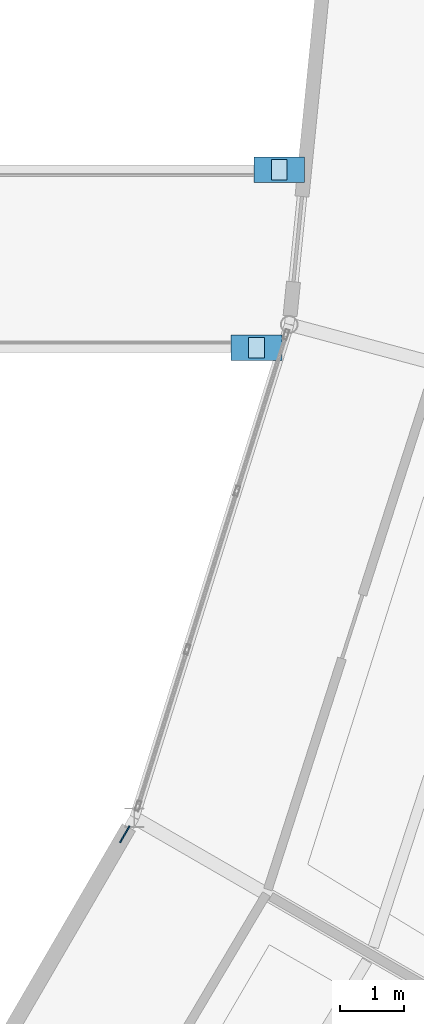
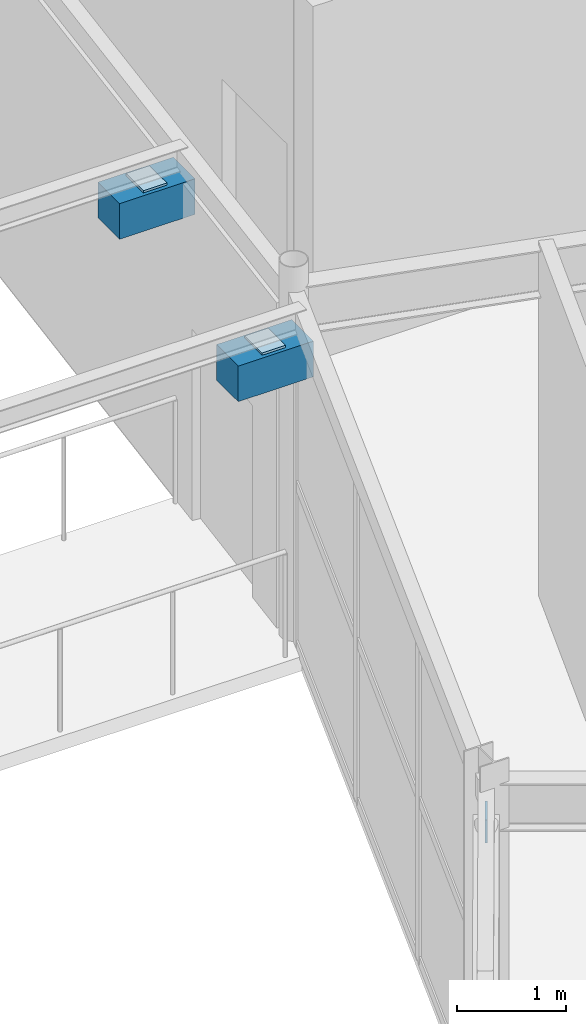
# One storey, part 115 of 148: 5 plates.
"""IFC4 building model written with IfcOpenShell, lengths in metres."""

from ifc_helpers import new_model, si_unit, direction, frame, origin, origin_2d, place, context, subcontext, project, spatial, rectangle, extrude, material, layer, layer_set, type_object, element, save


model = new_model("IFC4")

# Units and contexts
model_context = context("Model", 3, precision=1e-05, world=origin(), true_north=direction((0.0, 1.0)))
body_context = subcontext(model_context, "Body", "Model", "MODEL_VIEW")
ifc_project = project(units=[si_unit("LENGTHUNIT", "METRE"), si_unit("AREAUNIT", "SQUARE_METRE"), si_unit("VOLUMEUNIT", "CUBIC_METRE"), si_unit("PLANEANGLEUNIT", "RADIAN"), si_unit("MASSUNIT", "GRAM", prefix="KILO")], contexts=[model_context])

# Site, building, storey
site_placement = place(None, origin())
site = spatial("IfcSite", under=ifc_project, at=site_placement, CompositionType="ELEMENT")
building_placement = place(site_placement, origin())
building = spatial("IfcBuilding", under=site, at=building_placement, Name="Karori Crest Natural Sciences Institute", CompositionType="ELEMENT")
storey_placement = place(building_placement, frame((0.0, 0.0, 4.89990234375)))
storey = spatial("IfcBuildingStorey", under=building, at=storey_placement, Name="L01", CompositionType="ELEMENT", Elevation=4.89990234375)

# Plates
ifc_material = material(Name="Structural steel AS/NZS 3679.1 Grade 350", Category="steel")
ifc_layer_1 = layer(ifc_material, 0.02490234375, Name="Structural steel AS/NZS 3679.1 Grade 350")
ifc_layer_set_1 = layer_set([ifc_layer_1], Name="Structural steel AS/NZS 3679.1 Grade 350")
plate_type_1 = type_object("IfcPlateType", Name="PLT-06", PredefinedType="SHEET", material=ifc_layer_set_1)
plate_1_placement = place(storey_placement, frame((87.380126953125, 33.540771484375, 3.5205078125), z_axis=(0.0, 0.0, 1.0), x_axis=(0.502651840669, 0.86448893982, 0.0)))
element("IfcPlate", 1, at=plate_1_placement, inside=storey, type_object=plate_type_1, Name="Brace gusset plate EP-0024", PredefinedType="SHEET", context=body_context, shape_type="SweptSolid", body=[
    extrude(rectangle(XDim=0.299072265625, YDim=0.02490234375, at=origin_2d()), origin(), (0.0, 0.0, 1.0), 0.259033203125),
])
ifc_layer_2 = layer(ifc_material, 0.02490234375, Name="Structural steel AS/NZS 3679.1 Grade 350")
ifc_layer_set_2 = layer_set([ifc_layer_2], Name="Structural steel AS/NZS 3679.1 Grade 350")
plate_type_2 = type_object("IfcPlateType", Name="PLT-06-EL", PredefinedType="SHEET", material=ifc_layer_set_2)
plate_2_placement = place(storey_placement, frame((89.45361328125, 41.199951171875, 3.6591796875), z_axis=(0.0, 0.0, 1.0), x_axis=(1.0, 0.0, 0.0)))
element("IfcPlate", 2, at=plate_2_placement, inside=storey, type_object=plate_type_2, Name="Guided PTFE sliding bridge bearing EP-0179", PredefinedType="SHEET", context=body_context, shape_type="SweptSolid", body=[
    extrude(rectangle(XDim=0.25, YDim=0.320068359375, at=origin_2d()), origin(), (0.0, 0.0, 1.0), 0.02490234375),
])
plate_3_placement = place(storey_placement, frame((89.45361328125, 41.199951171875, 3.259033203125), z_axis=(0.0, 0.0, 1.0), x_axis=(1.0, 0.0, 0.0)))
element("IfcPlate", 3, at=plate_3_placement, inside=storey, type_object=plate_type_2, Name="Bridge 800mm sliding corbel seat EP-0180", PredefinedType="SHEET", context=body_context, shape_type="SweptSolid", body=[
    extrude(rectangle(XDim=0.800048828125, YDim=0.39990234375, at=origin_2d()), origin(), (0.0, 0.0, 1.0), 0.39990234375),
])
plate_4_placement = place(storey_placement, frame((89.811279296875, 44.0, 3.6591796875), z_axis=(0.0, 0.0, 1.0), x_axis=(1.0, 0.0, 0.0)))
element("IfcPlate", 4, at=plate_4_placement, inside=storey, type_object=plate_type_2, Name="Guided PTFE sliding bridge bearing EP-0181", PredefinedType="SHEET", context=body_context, shape_type="SweptSolid", body=[
    extrude(rectangle(XDim=0.25, YDim=0.320068359375, at=origin_2d()), origin(), (0.0, 0.0, 1.0), 0.02490234375),
])
plate_5_placement = place(storey_placement, frame((89.811279296875, 44.0, 3.259033203125), z_axis=(0.0, 0.0, 1.0), x_axis=(1.0, 0.0, 0.0)))
element("IfcPlate", 5, at=plate_5_placement, inside=storey, type_object=plate_type_2, Name="Bridge 800mm sliding corbel seat EP-0182", PredefinedType="SHEET", context=body_context, shape_type="SweptSolid", body=[
    extrude(rectangle(XDim=0.800048828125, YDim=0.39990234375, at=origin_2d()), origin(), (0.0, 0.0, 1.0), 0.39990234375),
])

save(model, "model.ifc")
